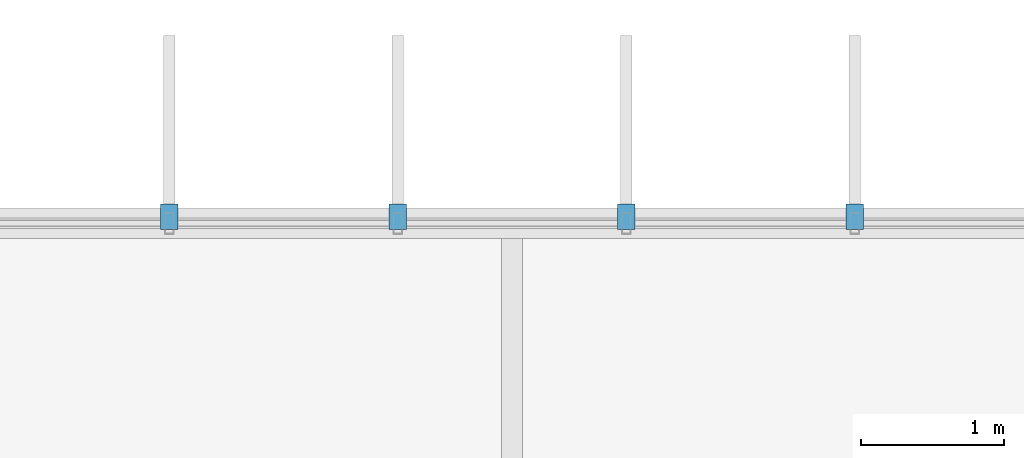
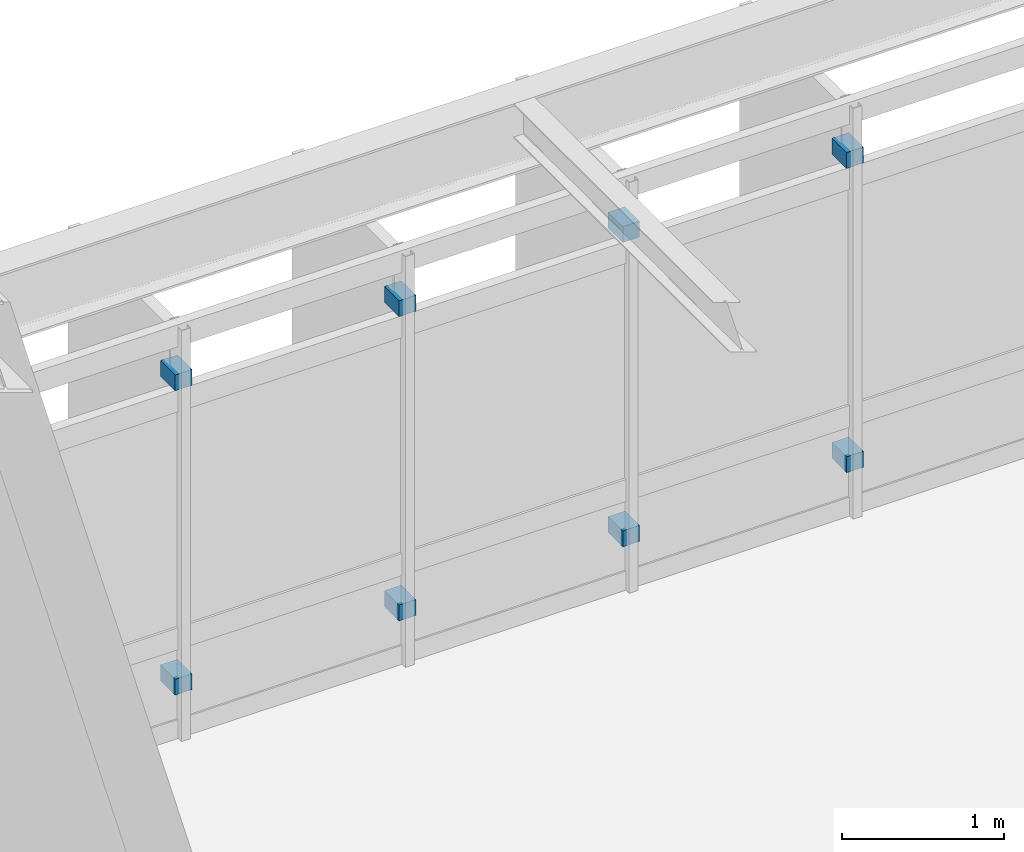
# One storey, part 78 of 85: 8 discrete accessories.
"""IFC4 building model written with IfcOpenShell, lengths in metres."""

from ifc_helpers import new_model, si_unit, direction, frame, origin, origin_2d, place, context, subcontext, project, spatial, rectangle, extrude, material, layer, layer_set, type_object, element, save


model = new_model("IFC4")

# Units and contexts
model_context = context("Model", 3, precision=1e-05, world=origin(), true_north=direction((0.0, 1.0)))
body_context = subcontext(model_context, "Body", "Model", "MODEL_VIEW")
ifc_project = project(units=[si_unit("LENGTHUNIT", "METRE"), si_unit("AREAUNIT", "SQUARE_METRE"), si_unit("VOLUMEUNIT", "CUBIC_METRE"), si_unit("PLANEANGLEUNIT", "RADIAN"), si_unit("MASSUNIT", "GRAM", prefix="KILO")], contexts=[model_context])

# Site, building, storey
site_placement = place(None, origin())
site = spatial("IfcSite", under=ifc_project, at=site_placement, CompositionType="ELEMENT")
building_placement = place(site_placement, origin())
building = spatial("IfcBuilding", under=site, at=building_placement, Name="Zulena Civic Courthouse", CompositionType="ELEMENT")
storey_placement = place(building_placement, frame((0.0, 0.0, 25.199951171875)))
storey = spatial("IfcBuildingStorey", under=building, at=storey_placement, Name="L05", CompositionType="ELEMENT", Elevation=25.199951171875)

# Discrete accessories
ifc_material = material(Name="Gold anodised architectural aluminium AA6063-T6", Category="aluminium")
ifc_layer = layer(ifc_material, 0.1201171875)
ifc_layer_set = layer_set([ifc_layer], Name="Gold anodised architectural aluminium AA6063-T6")
discrete_accessory_type = type_object("IfcDiscreteAccessoryType", Name="FinOutriggerBracket", PredefinedType="BRACKET", material=ifc_layer_set)
for number, where, z_axis, x_axis, name in (
    (1, (53.61083984375, 22.844970703125, 0.340087890625), (0.0, 0.0, 1.0), (0.0, 1.0, 0.0), "brk:V2:L05:1:6:1:25.60"),
    (2, (53.61083984375, 22.844970703125, 2.6298828125), (0.0, 0.0, 1.0), (0.0, 1.0, 0.0), "brk:V2:L05:1:6:1:27.89"),
    (3, (55.20361328125, 22.844970703125, 0.340087890625), (0.0, 0.0, 1.0), (0.0, 1.0, 0.0), "brk:V2:L05:1:6:2:25.60"),
    (4, (55.20361328125, 22.844970703125, 2.6298828125), (0.0, 0.0, 1.0), (0.0, 1.0, 0.0), "brk:V2:L05:1:6:2:27.89"),
    (5, (56.79638671875, 22.844970703125, 0.340087890625), (0.0, 0.0, 1.0), (0.0, 1.0, 0.0), "brk:V2:L05:1:6:3:25.60"),
    (6, (56.79638671875, 22.844970703125, 2.6298828125), (0.0, 0.0, 1.0), (0.0, 1.0, 0.0), "brk:V2:L05:1:6:3:27.89"),
    (7, (58.38916015625, 22.844970703125, 0.340087890625), (0.0, 0.0, 1.0), (0.0, 1.0, 0.0), "brk:V2:L05:1:6:4:25.60"),
    (8, (58.38916015625, 22.844970703125, 2.6298828125), (0.0, 0.0, 1.0), (0.0, 1.0, 0.0), "brk:V2:L05:1:6:4:27.89"),
):
    element("IfcDiscreteAccessory", number, at=place(storey_placement, frame(where, z_axis=z_axis, x_axis=x_axis)), inside=storey, type_object=discrete_accessory_type, Name=name, PredefinedType="BRACKET", context=body_context, shape_type="SweptSolid", body=[
        extrude(rectangle(XDim=0.179931640625, YDim=0.1201171875, at=origin_2d()), origin(), (0.0, 0.0, 1.0), 0.1201171875),
    ])

save(model, "model.ifc")
